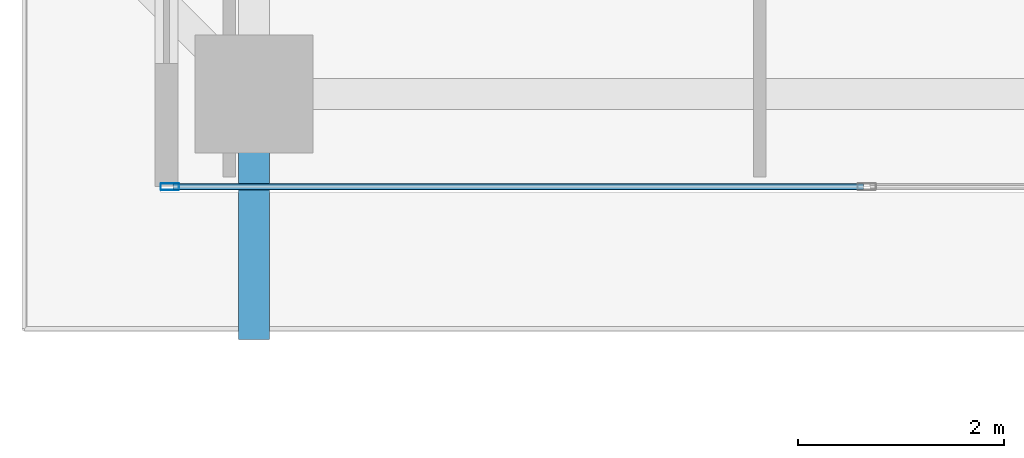
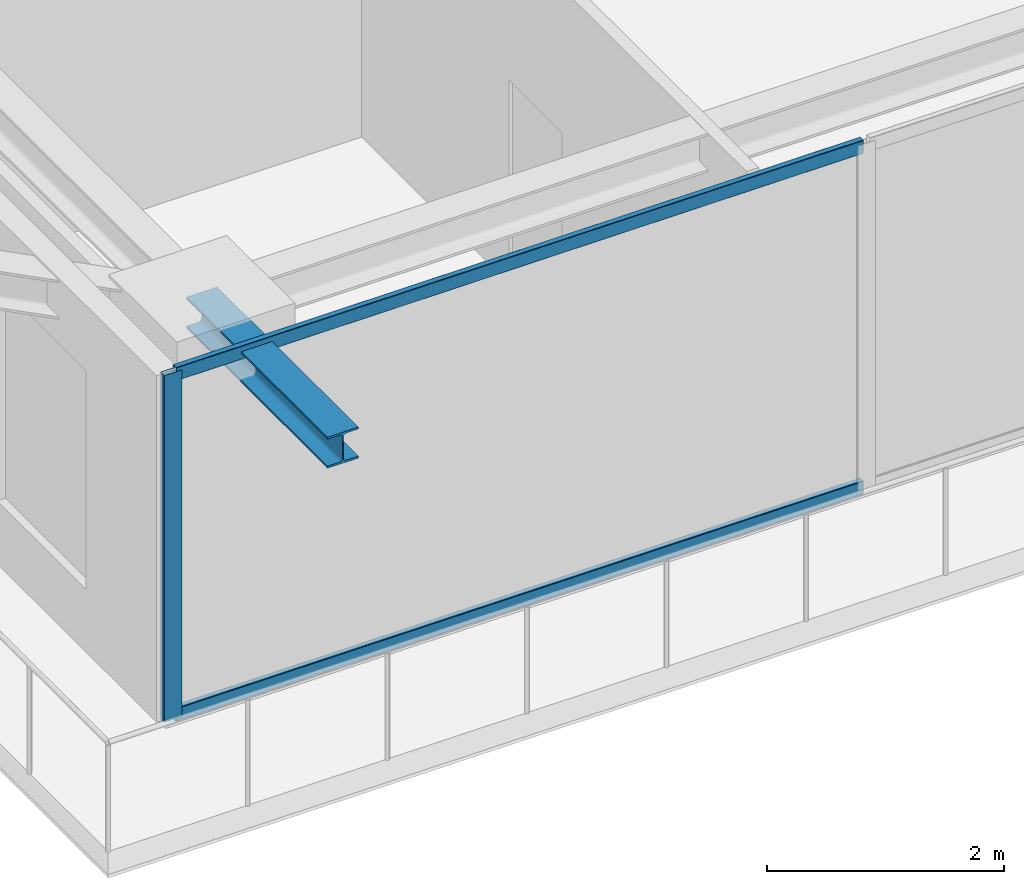
# One storey, part 2 of 38: 3 members, 1 beam, 1 element without a shape of its own.
"""IFC4 building model written with IfcOpenShell, lengths in metres."""

from ifc_helpers import new_model, si_unit, direction, frame, origin, origin_2d, place, context, subcontext, project, spatial, hollow_rectangle, i_section, extrude, source, transform, mapped, material, layer, layer_set, material_profile, profile_set, type_object, element, aggregate, save


model = new_model("IFC4")

# Units and contexts
model_context = context("Model", 3, precision=1e-05, world=origin(), true_north=direction((0.0, 1.0)))
body_context = subcontext(model_context, "Body", "Model", "MODEL_VIEW")
ifc_project = project(units=[si_unit("LENGTHUNIT", "METRE"), si_unit("AREAUNIT", "SQUARE_METRE"), si_unit("VOLUMEUNIT", "CUBIC_METRE"), si_unit("PLANEANGLEUNIT", "RADIAN"), si_unit("MASSUNIT", "GRAM", prefix="KILO")], contexts=[model_context])

# Site, building, storey
site_placement = place(None, origin())
site = spatial("IfcSite", under=ifc_project, at=site_placement, CompositionType="ELEMENT")
building_placement = place(site_placement, origin())
building = spatial("IfcBuilding", under=site, at=building_placement, Name="Serunith Strait Residences", CompositionType="ELEMENT")
storey_placement = place(building_placement, frame((0.0, 0.0, 237.39990234375)))
storey = spatial("IfcBuildingStorey", under=building, at=storey_placement, Name="L59", CompositionType="ELEMENT", Elevation=237.39990234375)

# Beam
ifc_material_1 = material(Name="Steel S355J2", Category="steel")
ifc_material_profile_1 = material_profile(ifc_material_1, i_section(OverallWidth=0.300048828125, OverallDepth=0.320068359375, WebThickness=0.011474609375, FlangeThickness=0.0205078125, FilletRadius=0.027099609375, at=origin_2d()), Name="HEB 320")
ifc_profile_set_1 = profile_set([ifc_material_profile_1], Name="Steel S355J2")
beam_type = type_object("IfcBeamType", Name="BM-HEB320", PredefinedType="BEAM", material=ifc_profile_set_1)
shared_shape_1 = source(origin(), body_context, "Body", "SweptSolid", [
    extrude(i_section(OverallWidth=0.300048828125, OverallDepth=0.320068359375, WebThickness=0.011474609375, FlangeThickness=0.0205078125, FilletRadius=0.027099609375, at=origin_2d()), origin(), (0.0, 0.0, 1.0), 2.38427734375),
])
beam_placement = place(storey_placement, frame((16.25, 2.10009765625, 3.397216796875), z_axis=(0.0, -1.0, 0.0), x_axis=(1.0, 0.0, 0.0)))
element("IfcBeam", 1, at=beam_placement, inside=storey, type_object=beam_type, Name="L60 Cantilevered Balcony Rib TC-S1", PredefinedType="BEAM", context=body_context, shape_type="MappedRepresentation", body=[
    mapped(shared_shape_1, transform((0.0, 0.0, 0.0), scale=1.0)),
])

# Curtain wall, members
ifc_material_2 = material(Name="Pale-Champagne Anodised Aluminium", Category="aluminium")
ifc_layer = layer(ifc_material_2, 0.199951171875, Name="Pale-Champagne Anodised Aluminium")
ifc_layer_set = layer_set([ifc_layer], Name="Pale-Champagne Anodised Aluminium")
curtain_wall_type = type_object("IfcCurtainWallType", Name="CW-SYS4", PredefinedType="NOTDEFINED", material=ifc_layer_set)
curtain_wall_placement = place(storey_placement, origin())
curtain_wall = element("IfcCurtainWall", 2, at=curtain_wall_placement, inside=storey, type_object=curtain_wall_type, Name="L59 S Unitised Fritted Curtain Wall", PredefinedType="NOTDEFINED")
ifc_material_profile_2 = material_profile(ifc_material_2, hollow_rectangle(XDim=0.06005859375, YDim=0.139892578125, WallThickness=0.00341796875, InnerFilletRadius=0.00537109375, OuterFilletRadius=0.0087890625, at=origin_2d()), Name="ALU 140x60x3.5")
ifc_profile_set_2 = profile_set([ifc_material_profile_2], Name="Pale-Champagne Anodised Aluminium")
member_type_1 = type_object("IfcMemberType", Name="CW-SYS4-TRAN", PredefinedType="USERDEFINED", material=ifc_profile_set_2)
shared_shape_2 = source(origin(), body_context, "Body", "SweptSolid", [
    extrude(hollow_rectangle(XDim=0.06005859375, YDim=0.139892578125, WallThickness=0.00341796875, InnerFilletRadius=0.00537109375, OuterFilletRadius=0.0087890625, at=origin_2d()), origin(), (0.0, 0.0, 1.0), 6.702392578125),
])
member_1_placement = place(storey_placement, frame((15.465087890625, 1.199951171875, 0.030029296875), z_axis=(1.0, 0.0, 0.0), x_axis=(0.0, 1.0, 0.0)))
member_1 = element("IfcMember", 3, at=member_1_placement, type_object=member_type_1, Name="CW-4 transom 1.1", ObjectType="TRANSOM", PredefinedType="USERDEFINED", context=body_context, shape_type="MappedRepresentation", body=[
    mapped(shared_shape_2, transform((0.0, 0.0, 0.0), scale=1.0)),
])
member_2_placement = place(storey_placement, frame((15.465087890625, 1.199951171875, 3.545166015625), z_axis=(1.0, 0.0, 0.0), x_axis=(0.0, 1.0, 0.0)))
member_2 = element("IfcMember", 4, at=member_2_placement, type_object=member_type_1, Name="CW-4 transom 1.2", ObjectType="TRANSOM", PredefinedType="USERDEFINED", context=body_context, shape_type="MappedRepresentation", body=[
    mapped(shared_shape_2, transform((0.0, 0.0, 0.0), scale=1.0)),
])
ifc_material_profile_3 = material_profile(ifc_material_2, hollow_rectangle(XDim=0.06494140625, YDim=0.179931640625, WallThickness=0.00341796875, InnerFilletRadius=0.00537109375, OuterFilletRadius=0.0087890625, at=origin_2d()), Name="ALU 180x65x3.5")
ifc_profile_set_3 = profile_set([ifc_material_profile_3], Name="Pale-Champagne Anodised Aluminium")
member_type_2 = type_object("IfcMemberType", Name="CW-SYS4-MULL", PredefinedType="MULLION", material=ifc_profile_set_3)
shared_shape_3 = source(origin(), body_context, "Body", "SweptSolid", [
    extrude(hollow_rectangle(XDim=0.06494140625, YDim=0.179931640625, WallThickness=0.00341796875, InnerFilletRadius=0.00537109375, OuterFilletRadius=0.0087890625, at=origin_2d()), origin(), (0.0, 0.0, 1.0), 3.5751953125),
])
member_3_placement = place(storey_placement, frame((15.4326171875, 1.199951171875, 0.0), z_axis=(0.0, 0.0, 1.0), x_axis=(0.0, 1.0, 0.0)))
member_3 = element("IfcMember", 5, at=member_3_placement, type_object=member_type_2, Name="CW-4 mullion 1", PredefinedType="MULLION", context=body_context, shape_type="MappedRepresentation", body=[
    mapped(shared_shape_3, transform((0.0, 0.0, 0.0), scale=1.0)),
])
aggregate(curtain_wall, [member_3, member_1, member_2])

save(model, "model.ifc")
